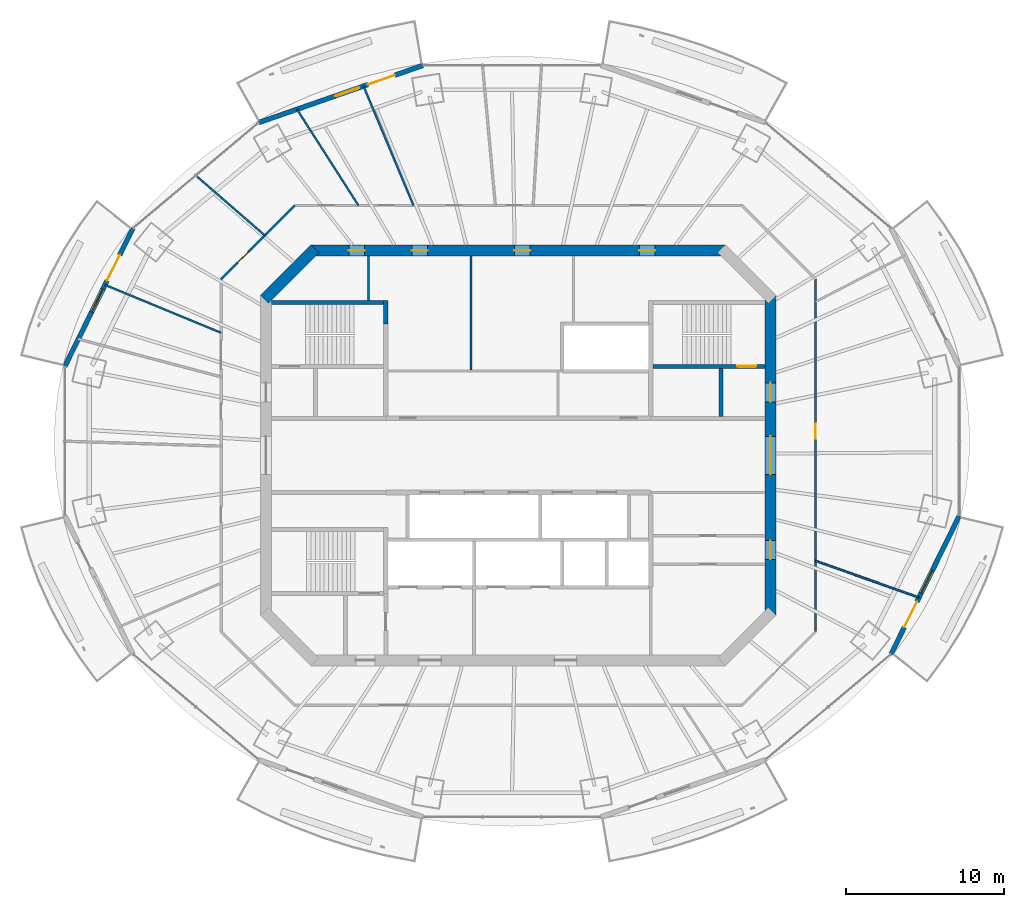
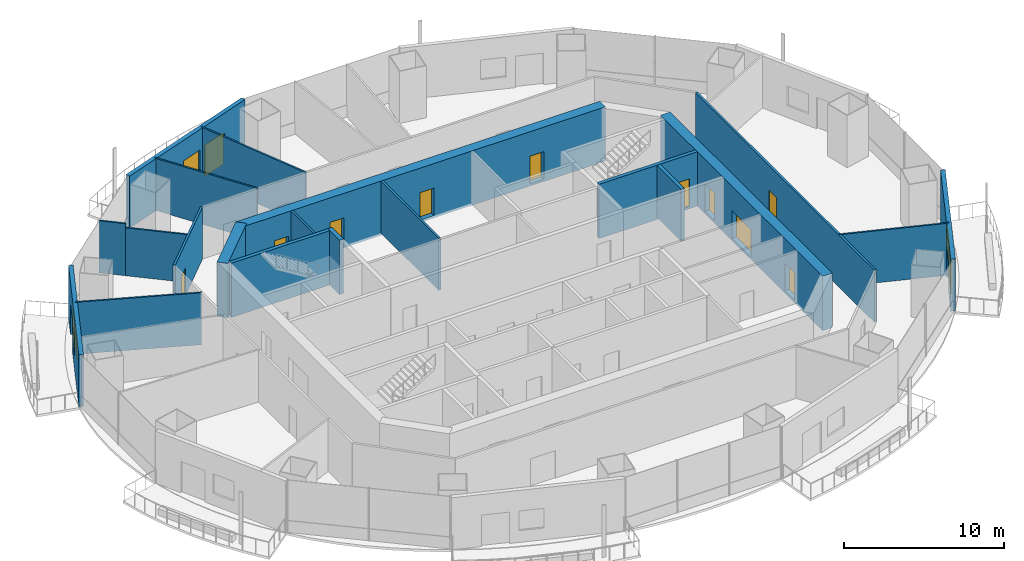
# One storey, part 10 of 16: 20 walls, 13 doors, 3 windows, 16 openings.
"""IFC4 building model written with IfcOpenShell, lengths in metres."""

from ifc_helpers import new_model, si_unit, direction, frame, frame_2d, origin, place, context, subcontext, project, spatial, rectangle, extrude, material, layer, layer_set, type_object, element, fill, save


model = new_model("IFC4")

# Units and contexts
model_context = context("Model", 3, precision=1e-05, world=origin(), true_north=direction((0.0, 1.0)))
body_context = subcontext(model_context, "Body", "Model", "MODEL_VIEW")
ifc_project = project(units=[si_unit("LENGTHUNIT", "METRE"), si_unit("AREAUNIT", "SQUARE_METRE"), si_unit("VOLUMEUNIT", "CUBIC_METRE"), si_unit("PLANEANGLEUNIT", "RADIAN"), si_unit("MASSUNIT", "GRAM", prefix="KILO")], contexts=[model_context])

# Site, building, storey
site_placement = place(None, origin())
site = spatial("IfcSite", under=ifc_project, at=site_placement, CompositionType="ELEMENT")
building_placement = place(site_placement, origin())
building = spatial("IfcBuilding", under=site, at=building_placement, Name="Marenthal Gate Tower", CompositionType="ELEMENT")
storey_placement = place(building_placement, frame((0.0, 0.0, 288.64990234375)))
storey = spatial("IfcBuildingStorey", under=building, at=storey_placement, Name="L64", CompositionType="ELEMENT", Elevation=288.64990234375)

# Wall, openings, doors
ifc_material_1 = material(Name="Concrete 60 MPa", Category="concrete")
ifc_layer_1 = layer(ifc_material_1, 0.699951171875)
ifc_layer_set_1 = layer_set([ifc_layer_1], Name="Core shear wall 700")
wall_type_1 = type_object("IfcWallType", Name="Core shear wall 700", PredefinedType="SHEAR", material=ifc_layer_set_1)
wall_1_placement = place(storey_placement, frame((16.0, -10.14501953125, -0.179931640625), z_axis=(0.0, 0.0, 1.0), x_axis=(0.0, 1.0, 0.0)))
wall_1 = element("IfcWall", 1, at=wall_1_placement, inside=storey, type_object=wall_type_1, Name="Core wall 02", PredefinedType="SHEAR", context=body_context, shape_type="SweptSolid", body=[
    extrude(rectangle(XDim=20.2900390625, YDim=0.699951171875, at=frame_2d((10.14501953125, 0.0))), origin(), (0.0, 0.0, 1.0), 4.150146484375),
])
opening_1_placement = place(wall_1_placement, frame((8.945068359375, 0.0, 0.179931640625)))
opening_1 = element("IfcOpeningElement", 2, at=opening_1_placement, cuts=wall_1, Name="Opening D003.02", PredefinedType="OPENING", context=body_context, shape_type="SweptSolid", body=[
    extrude(rectangle(XDim=2.39990234375, YDim=2.10009765625, at=frame_2d((1.199951171875, 1.050048828125))), frame((0.0, 0.35986328125, 0.0), z_axis=(0.0, -1.0, 0.0), x_axis=(1.0, 0.0, 0.0)), (0.0, 0.0, 1.0), 0.719970703125),
])
opening_2_placement = place(wall_1_placement, frame((13.544921875, 0.0, 0.179931640625)))
opening_2 = element("IfcOpeningElement", 3, at=opening_2_placement, cuts=wall_1, Name="Opening D001.05", PredefinedType="OPENING", context=body_context, shape_type="SweptSolid", body=[
    extrude(rectangle(XDim=1.199951171875, YDim=2.10009765625, at=frame_2d((0.60009765625, 1.050048828125))), frame((0.0, 0.35986328125, 0.0), z_axis=(0.0, -1.0, 0.0), x_axis=(1.0, 0.0, 0.0)), (0.0, 0.0, 1.0), 0.719970703125),
])
opening_3_placement = place(wall_1_placement, frame((3.544921875, 0.0, 0.179931640625)))
opening_3 = element("IfcOpeningElement", 4, at=opening_3_placement, cuts=wall_1, Name="Opening D006.01", PredefinedType="OPENING", context=body_context, shape_type="SweptSolid", body=[
    extrude(rectangle(XDim=1.199951171875, YDim=2.10009765625, at=frame_2d((0.60009765625, 1.050048828125))), frame((0.0, 0.35986328125, 0.0), z_axis=(0.0, -1.0, 0.0), x_axis=(1.0, 0.0, 0.0)), (0.0, 0.0, 1.0), 0.719970703125),
])
ifc_material_2 = material(Name="Steel fire door", Category="steel")
door_type_1 = type_object("IfcDoorType", Name="Double fire door FD 45 2400 x 2100", OperationType="DOUBLE_DOOR_SINGLE_SWING", PredefinedType="DOOR", material=ifc_material_2)
door_1_placement = place(opening_1_placement, origin())
door_1 = element("IfcDoor", 5, at=door_1_placement, inside=storey, type_object=door_type_1, Name="Door D003.02", OperationType="DOUBLE_DOOR_SINGLE_SWING", OverallHeight=2.10009765625, OverallWidth=2.39990234375, PredefinedType="DOOR", context=body_context, shape_type="SweptSolid", body=[
    extrude(rectangle(XDim=2.39990234375, YDim=2.10009765625, at=frame_2d((1.199951171875, 1.050048828125))), frame((0.0, 0.02490234375, 0.0), z_axis=(0.0, -1.0, 0.0), x_axis=(1.0, 0.0, 0.0)), (0.0, 0.0, 1.0), 0.050048828125),
])
fill(opening_1, door_1)
ifc_material_3 = material(Name="Steel fire door", Category="steel")
door_type_2 = type_object("IfcDoorType", Name="Fire door FD 45 1200 x 2100", OperationType="NOTDEFINED", PredefinedType="DOOR", material=ifc_material_3)
door_2_placement = place(opening_3_placement, origin())
door_2 = element("IfcDoor", 6, at=door_2_placement, inside=storey, type_object=door_type_2, Name="Door D006.01", OperationType="SINGLE_SWING_RIGHT", OverallHeight=2.10009765625, OverallWidth=1.199951171875, PredefinedType="DOOR", context=body_context, shape_type="SweptSolid", body=[
    extrude(rectangle(XDim=1.199951171875, YDim=2.10009765625, at=frame_2d((0.60009765625, 1.050048828125))), frame((0.0, 0.02490234375, 0.0), z_axis=(0.0, -1.0, 0.0), x_axis=(1.0, 0.0, 0.0)), (0.0, 0.0, 1.0), 0.050048828125),
])
fill(opening_3, door_2)
ifc_material_4 = material(Name="Steel fire door", Category="steel")
door_type_3 = type_object("IfcDoorType", Name="Fire door FD 90 1200 x 2100", OperationType="NOTDEFINED", PredefinedType="DOOR", material=ifc_material_4)
door_3_placement = place(opening_2_placement, origin())
door_3 = element("IfcDoor", 7, at=door_3_placement, inside=storey, type_object=door_type_3, Name="Door D001.05", OperationType="SINGLE_SWING_RIGHT", OverallHeight=2.10009765625, OverallWidth=1.199951171875, PredefinedType="DOOR", context=body_context, shape_type="SweptSolid", body=[
    extrude(rectangle(XDim=1.199951171875, YDim=2.10009765625, at=frame_2d((0.60009765625, 1.050048828125))), frame((0.0, 0.02490234375, 0.0), z_axis=(0.0, -1.0, 0.0), x_axis=(1.0, 0.0, 0.0)), (0.0, 0.0, 1.0), 0.050048828125),
])
fill(opening_2, door_3)

wall_2_placement = place(storey_placement, frame((13.14501953125, 13.0, -0.179931640625), z_axis=(0.0, 0.0, 1.0), x_axis=(-1.0, 0.0, 0.0)))
wall_2 = element("IfcWall", 8, at=wall_2_placement, inside=storey, type_object=wall_type_1, Name="Core wall 04", PredefinedType="SHEAR", context=body_context, shape_type="SweptSolid", body=[
    extrude(rectangle(XDim=26.2900390625, YDim=0.699951171875, at=frame_2d((13.14501953125, 0.0))), origin(), (0.0, 0.0, 1.0), 4.150146484375),
])
opening_4_placement = place(wall_2_placement, frame((22.889892578125, 0.0, 0.179931640625)))
opening_4 = element("IfcOpeningElement", 9, at=opening_4_placement, cuts=wall_2, Name="Opening D005.03", PredefinedType="OPENING", context=body_context, shape_type="SweptSolid", body=[
    extrude(rectangle(XDim=1.0, YDim=2.10009765625, at=frame_2d((0.5, 1.050048828125))), frame((0.0, 0.35986328125, 0.0), z_axis=(0.0, -1.0, 0.0), x_axis=(1.0, 0.0, 0.0)), (0.0, 0.0, 1.0), 0.719970703125),
])
opening_5_placement = place(wall_2_placement, frame((18.89501953125, 0.0, 0.179931640625)))
opening_5 = element("IfcOpeningElement", 10, at=opening_5_placement, cuts=wall_2, Name="Opening D005.04", PredefinedType="OPENING", context=body_context, shape_type="SweptSolid", body=[
    extrude(rectangle(XDim=1.0, YDim=2.10009765625, at=frame_2d((0.5, 1.050048828125))), frame((0.0, 0.35986328125, 0.0), z_axis=(0.0, -1.0, 0.0), x_axis=(1.0, 0.0, 0.0)), (0.0, 0.0, 1.0), 0.719970703125),
])
opening_6_placement = place(wall_2_placement, frame((12.39501953125, 0.0, 0.179931640625)))
opening_6 = element("IfcOpeningElement", 11, at=opening_6_placement, cuts=wall_2, Name="Opening D005.05", PredefinedType="OPENING", context=body_context, shape_type="SweptSolid", body=[
    extrude(rectangle(XDim=1.0, YDim=2.10009765625, at=frame_2d((0.5, 1.050048828125))), frame((0.0, 0.35986328125, 0.0), z_axis=(0.0, -1.0, 0.0), x_axis=(1.0, 0.0, 0.0)), (0.0, 0.0, 1.0), 0.719970703125),
])
opening_7_placement = place(wall_2_placement, frame((4.46728515625, 0.0, 0.179931640625)))
opening_7 = element("IfcOpeningElement", 12, at=opening_7_placement, cuts=wall_2, Name="Opening D005.06", PredefinedType="OPENING", context=body_context, shape_type="SweptSolid", body=[
    extrude(rectangle(XDim=1.0, YDim=2.10009765625, at=frame_2d((0.5, 1.050048828125))), frame((0.0, 0.35986328125, 0.0), z_axis=(0.0, -1.0, 0.0), x_axis=(1.0, 0.0, 0.0)), (0.0, 0.0, 1.0), 0.719970703125),
])
ifc_material_5 = material(Name="Steel fire door", Category="steel")
door_type_4 = type_object("IfcDoorType", Name="Fire door FD 45 1000 x 2100", OperationType="NOTDEFINED", PredefinedType="DOOR", material=ifc_material_5)
door_4_placement = place(opening_4_placement, origin())
door_4 = element("IfcDoor", 13, at=door_4_placement, inside=storey, type_object=door_type_4, Name="Door D005.03", OperationType="SINGLE_SWING_RIGHT", OverallHeight=2.10009765625, OverallWidth=1.0, PredefinedType="DOOR", context=body_context, shape_type="SweptSolid", body=[
    extrude(rectangle(XDim=1.0, YDim=2.10009765625, at=frame_2d((0.5, 1.050048828125))), frame((0.0, 0.02490234375, 0.0), z_axis=(0.0, -1.0, 0.0), x_axis=(1.0, 0.0, 0.0)), (0.0, 0.0, 1.0), 0.050048828125),
])
fill(opening_4, door_4)
door_5_placement = place(opening_5_placement, origin())
door_5 = element("IfcDoor", 14, at=door_5_placement, inside=storey, type_object=door_type_4, Name="Door D005.04", OperationType="SINGLE_SWING_RIGHT", OverallHeight=2.10009765625, OverallWidth=1.0, PredefinedType="DOOR", context=body_context, shape_type="SweptSolid", body=[
    extrude(rectangle(XDim=1.0, YDim=2.10009765625, at=frame_2d((0.5, 1.050048828125))), frame((0.0, 0.02490234375, 0.0), z_axis=(0.0, -1.0, 0.0), x_axis=(1.0, 0.0, 0.0)), (0.0, 0.0, 1.0), 0.050048828125),
])
fill(opening_5, door_5)
door_6_placement = place(opening_6_placement, origin())
door_6 = element("IfcDoor", 15, at=door_6_placement, inside=storey, type_object=door_type_4, Name="Door D005.05", OperationType="SINGLE_SWING_RIGHT", OverallHeight=2.10009765625, OverallWidth=1.0, PredefinedType="DOOR", context=body_context, shape_type="SweptSolid", body=[
    extrude(rectangle(XDim=1.0, YDim=2.10009765625, at=frame_2d((0.5, 1.050048828125))), frame((0.0, 0.02490234375, 0.0), z_axis=(0.0, -1.0, 0.0), x_axis=(1.0, 0.0, 0.0)), (0.0, 0.0, 1.0), 0.050048828125),
])
fill(opening_6, door_6)
door_7_placement = place(opening_7_placement, origin())
door_7 = element("IfcDoor", 16, at=door_7_placement, inside=storey, type_object=door_type_4, Name="Door D005.06", OperationType="SINGLE_SWING_RIGHT", OverallHeight=2.10009765625, OverallWidth=1.0, PredefinedType="DOOR", context=body_context, shape_type="SweptSolid", body=[
    extrude(rectangle(XDim=1.0, YDim=2.10009765625, at=frame_2d((0.5, 1.050048828125))), frame((0.0, 0.02490234375, 0.0), z_axis=(0.0, -1.0, 0.0), x_axis=(1.0, 0.0, 0.0)), (0.0, 0.0, 1.0), 0.050048828125),
])
fill(opening_7, door_7)

# Walls
wall_3_placement = place(storey_placement, frame((-12.8974609375, 13.1025390625, -0.179931640625), z_axis=(0.0, 0.0, 1.0), x_axis=(-0.707106781187, -0.707106781187, 0.0)))
element("IfcWall", 17, at=wall_3_placement, inside=storey, type_object=wall_type_1, Name="Core wall 05", PredefinedType="SHEAR", context=body_context, shape_type="SweptSolid", body=[
    extrude(rectangle(XDim=4.53271484375, YDim=0.699951171875, at=frame_2d((2.266357421875, 0.0))), origin(), (0.0, 0.0, 1.0), 4.150146484375),
])
ifc_material_6 = material(Name="Gypsum board on steel studs", Category="steel")
ifc_layer_2 = layer(ifc_material_6, 0.1201171875)
ifc_layer_set_2 = layer_set([ifc_layer_2], Name="Partition 120")
wall_type_2 = type_object("IfcWallType", Name="Partition 120", PredefinedType="PARTITIONING", material=ifc_layer_set_2)
wall_4_placement = place(storey_placement, frame((-18.85009765625, 7.776611328125, 0.0), z_axis=(0.0, 0.0, 1.0), x_axis=(-0.924418879756, 0.381378728759, 0.0)))
element("IfcWall", 18, at=wall_4_placement, inside=storey, type_object=wall_type_2, Name="Partition wall 56", PredefinedType="PARTITIONING", context=body_context, shape_type="SweptSolid", body=[
    extrude(rectangle(XDim=7.96484375, YDim=0.1201171875, at=frame_2d((3.982421875, 0.0))), origin(), (0.0, 0.0, 1.0), 3.97021484375),
])
wall_5_placement = place(storey_placement, frame((-16.076416015625, 13.9541015625, 0.0), z_axis=(0.0, 0.0, 1.0), x_axis=(-0.755226494758, 0.655463913283, 0.0)))
element("IfcWall", 19, at=wall_5_placement, inside=storey, type_object=wall_type_2, Name="Partition wall 58", PredefinedType="PARTITIONING", context=body_context, shape_type="SweptSolid", body=[
    extrude(rectangle(XDim=4.111328125, YDim=0.1201171875, at=frame_2d((2.0556640625, 0.0))), origin(), (0.0, 0.0, 1.0), 3.66015625),
])
wall_6_placement = place(storey_placement, frame((-19.181396484375, 16.64892578125, 0.0), z_axis=(0.0, 0.0, 1.0), x_axis=(-0.755144367742, 0.655558528178, 0.0)))
element("IfcWall", 20, at=wall_6_placement, inside=storey, type_object=wall_type_2, Name="Partition wall 72", PredefinedType="PARTITIONING", context=body_context, shape_type="SweptSolid", body=[
    extrude(rectangle(XDim=1.686767578125, YDim=0.1201171875, at=frame_2d((0.84326171875, 0.0))), origin(), (0.0, 0.0, 1.0), 3.97021484375),
])
wall_7_placement = place(storey_placement, frame((-10.13720703125, 15.85009765625, 0.0), z_axis=(0.0, 0.0, 1.0), x_axis=(-0.538802115327, 0.84243235961, 0.0)))
element("IfcWall", 21, at=wall_7_placement, inside=storey, type_object=wall_type_2, Name="Partition wall 61", PredefinedType="PARTITIONING", context=body_context, shape_type="SweptSolid", body=[
    extrude(rectangle(XDim=7.2431640625, YDim=0.1201171875, at=frame_2d((3.62158203125, 0.0))), origin(), (0.0, 0.0, 1.0), 3.97021484375),
])
wall_8_placement = place(storey_placement, frame((-6.64501953125, 15.85009765625, 0.0), z_axis=(0.0, 0.0, 1.0), x_axis=(-0.386671197164, 0.92221764529, 0.0)))
element("IfcWall", 22, at=wall_8_placement, inside=storey, type_object=wall_type_2, Name="Partition wall 62", PredefinedType="PARTITIONING", context=body_context, shape_type="SweptSolid", body=[
    extrude(rectangle(XDim=8.209228515625, YDim=0.1201171875, at=frame_2d((4.1044921875, 0.0))), origin(), (0.0, 0.0, 1.0), 3.97021484375),
])
wall_9_placement = place(storey_placement, frame((18.85009765625, -6.686279296875, 0.0), z_axis=(0.0, 0.0, 1.0), x_axis=(0.942465522023, -0.334303364923, 0.0)))
element("IfcWall", 23, at=wall_9_placement, inside=storey, type_object=wall_type_2, Name="Partition wall 69", PredefinedType="PARTITIONING", context=body_context, shape_type="SweptSolid", body=[
    extrude(rectangle(XDim=6.96337890625, YDim=0.1201171875, at=frame_2d((3.481689453125, 0.0))), origin(), (0.0, 0.0, 1.0), 3.97021484375),
])
ifc_material_7 = material(Name="Gypsum board on steel studs", Category="steel")
ifc_layer_3 = layer(ifc_material_7, 0.14990234375)
ifc_layer_set_3 = layer_set([ifc_layer_3], Name="Partition 150")
wall_type_3 = type_object("IfcWallType", Name="Partition 150", PredefinedType="PARTITIONING", material=ifc_layer_set_3)
wall_10_placement = place(storey_placement, frame((-9.5, 9.824951171875, 0.0), z_axis=(0.0, 0.0, 1.0), x_axis=(0.0, 1.0, 0.0)))
element("IfcWall", 24, at=wall_10_placement, inside=storey, type_object=wall_type_3, Name="Partition wall 31", PredefinedType="PARTITIONING", context=body_context, shape_type="SweptSolid", body=[
    extrude(rectangle(XDim=2.824951171875, YDim=0.14990234375, at=frame_2d((1.41259765625, 0.0))), origin(), (0.0, 0.0, 1.0), 3.97021484375),
])
wall_11_placement = place(storey_placement, frame((-3.0, 5.425048828125, 0.0), z_axis=(0.0, 0.0, 1.0), x_axis=(0.0, 1.0, 0.0)))
element("IfcWall", 25, at=wall_11_placement, inside=storey, type_object=wall_type_3, Name="Partition wall 37", PredefinedType="PARTITIONING", context=body_context, shape_type="SweptSolid", body=[
    extrude(rectangle(XDim=7.224853515625, YDim=0.14990234375, at=frame_2d((3.6123046875, 0.0))), origin(), (0.0, 0.0, 1.0), 3.97021484375),
])

# Wall, opening, door
wall_12_placement = place(storey_placement, frame((-18.85009765625, 11.180419921875, 0.0), z_axis=(0.0, 0.0, 1.0), x_axis=(0.707106781187, 0.707106781187, 0.0)))
wall_12 = element("IfcWall", 26, at=wall_12_placement, inside=storey, type_object=wall_type_3, Name="Partition wall 57", PredefinedType="PARTITIONING", context=body_context, shape_type="SweptSolid", body=[
    extrude(rectangle(XDim=6.60400390625, YDim=0.14990234375, at=frame_2d((3.302001953125, 0.0))), origin(), (0.0, 0.0, 1.0), 3.97021484375),
])
opening_8_placement = place(wall_12_placement, frame((1.486083984375, 0.0, 0.0)))
opening_8 = element("IfcOpeningElement", 27, at=opening_8_placement, cuts=wall_12, Name="Opening D016.06", PredefinedType="OPENING", context=body_context, shape_type="SweptSolid", body=[
    extrude(rectangle(XDim=0.949951171875, YDim=2.10009765625, at=frame_2d((0.47509765625, 1.050048828125))), frame((0.0, 0.0849609375, 0.0), z_axis=(0.0, -1.0, 0.0), x_axis=(1.0, 0.0, 0.0)), (0.0, 0.0, 1.0), 0.169921875),
])
ifc_material_8 = material(Name="Timber door", Category="wood")
door_type_5 = type_object("IfcDoorType", Name="Door 950 x 2100", OperationType="NOTDEFINED", PredefinedType="DOOR", material=ifc_material_8)
door_8_placement = place(opening_8_placement, origin())
door_8 = element("IfcDoor", 28, at=door_8_placement, inside=storey, type_object=door_type_5, Name="Door D016.06", OperationType="SINGLE_SWING_RIGHT", OverallHeight=2.10009765625, OverallWidth=0.949951171875, PredefinedType="DOOR", context=body_context, shape_type="SweptSolid", body=[
    extrude(rectangle(XDim=0.949951171875, YDim=2.10009765625, at=frame_2d((0.47509765625, 1.050048828125))), frame((0.0, 0.02490234375, 0.0), z_axis=(0.0, -1.0, 0.0), x_axis=(1.0, 0.0, 0.0)), (0.0, 0.0, 1.0), 0.050048828125),
])
fill(opening_8, door_8)

wall_13_placement = place(storey_placement, frame((18.85009765625, 11.180419921875, 0.0), z_axis=(0.0, 0.0, 1.0), x_axis=(0.0, -1.0, 0.0)))
wall_13 = element("IfcWall", 29, at=wall_13_placement, inside=storey, type_object=wall_type_3, Name="Partition wall 71", PredefinedType="PARTITIONING", context=body_context, shape_type="SweptSolid", body=[
    extrude(rectangle(XDim=22.36083984375, YDim=0.14990234375, at=frame_2d((11.180419921875, 0.0))), origin(), (0.0, 0.0, 1.0), 3.97021484375),
])
opening_9_placement = place(wall_13_placement, frame((9.175048828125, 0.0, 0.0)))
opening_9 = element("IfcOpeningElement", 30, at=opening_9_placement, cuts=wall_13, Name="Opening D016.10", PredefinedType="OPENING", context=body_context, shape_type="SweptSolid", body=[
    extrude(rectangle(XDim=0.949951171875, YDim=2.10009765625, at=frame_2d((0.47509765625, 1.050048828125))), frame((0.0, 0.0849609375, 0.0), z_axis=(0.0, -1.0, 0.0), x_axis=(1.0, 0.0, 0.0)), (0.0, 0.0, 1.0), 0.169921875),
])
door_9_placement = place(opening_9_placement, origin())
door_9 = element("IfcDoor", 31, at=door_9_placement, inside=storey, type_object=door_type_5, Name="Door D016.10", OperationType="SINGLE_SWING_RIGHT", OverallHeight=2.10009765625, OverallWidth=0.949951171875, PredefinedType="DOOR", context=body_context, shape_type="SweptSolid", body=[
    extrude(rectangle(XDim=0.949951171875, YDim=2.10009765625, at=frame_2d((0.47509765625, 1.050048828125))), frame((0.0, 0.02490234375, 0.0), z_axis=(0.0, -1.0, 0.0), x_axis=(1.0, 0.0, 0.0)), (0.0, 0.0, 1.0), 0.050048828125),
])
fill(opening_9, door_9)

# Wall
ifc_material_9 = material(Name="Concrete 40 MPa", Category="concrete")
ifc_layer_4 = layer(ifc_material_9, 0.25)
ifc_layer_set_4 = layer_set([ifc_layer_4], Name="Stair enclosure wall 250")
wall_type_4 = type_object("IfcWallType", Name="Stair enclosure wall 250", PredefinedType="STANDARD", material=ifc_layer_set_4)
wall_14_placement = place(storey_placement, frame((12.85009765625, 2.47509765625, 0.0), z_axis=(0.0, 0.0, 1.0), x_axis=(0.0, 1.0, 0.0)))
element("IfcWall", 32, at=wall_14_placement, inside=storey, type_object=wall_type_4, Name="Stair wall 51", PredefinedType="STANDARD", context=body_context, shape_type="SweptSolid", body=[
    extrude(rectangle(XDim=3.0498046875, YDim=0.25, at=frame_2d((1.52490234375, 0.0))), origin(), (0.0, 0.0, 1.0), 3.97021484375),
])

# Wall, opening, door
ifc_material_10 = material(Name="Concrete 50 MPa", Category="concrete")
ifc_layer_5 = layer(ifc_material_10, 0.25)
ifc_layer_set_5 = layer_set([ifc_layer_5], Name="Stair shear wall 250")
wall_type_5 = type_object("IfcWallType", Name="Stair shear wall 250", PredefinedType="SHEAR", material=ifc_layer_set_5)
wall_15_placement = place(storey_placement, frame((8.550048828125, 5.64990234375, -0.179931640625), z_axis=(0.0, 0.0, 1.0), x_axis=(1.0, 0.0, 0.0)))
wall_15 = element("IfcWall", 33, at=wall_15_placement, inside=storey, type_object=wall_type_5, Name="Stair wall 25", PredefinedType="SHEAR", context=body_context, shape_type="SweptSolid", body=[
    extrude(rectangle(XDim=7.099853515625, YDim=0.25, at=frame_2d((3.5498046875, 0.0))), origin(), (0.0, 0.0, 1.0), 4.150146484375),
])
opening_10_placement = place(wall_15_placement, frame((5.35009765625, 0.0, 0.179931640625)))
opening_10 = element("IfcOpeningElement", 34, at=opening_10_placement, cuts=wall_15, Name="Opening D001.02", PredefinedType="OPENING", context=body_context, shape_type="SweptSolid", body=[
    extrude(rectangle(XDim=1.199951171875, YDim=2.10009765625, at=frame_2d((0.60009765625, 1.050048828125))), frame((0.0, 0.135009765625, 0.0), z_axis=(0.0, -1.0, 0.0), x_axis=(1.0, 0.0, 0.0)), (0.0, 0.0, 1.0), 0.27001953125),
])
door_10_placement = place(opening_10_placement, origin())
door_10 = element("IfcDoor", 35, at=door_10_placement, inside=storey, type_object=door_type_3, Name="Door D001.02", OperationType="SINGLE_SWING_RIGHT", OverallHeight=2.10009765625, OverallWidth=1.199951171875, PredefinedType="DOOR", context=body_context, shape_type="SweptSolid", body=[
    extrude(rectangle(XDim=1.199951171875, YDim=2.10009765625, at=frame_2d((0.60009765625, 1.050048828125))), frame((0.0, 0.02490234375, 0.0), z_axis=(0.0, -1.0, 0.0), x_axis=(1.0, 0.0, 0.0)), (0.0, 0.0, 1.0), 0.050048828125),
])
fill(opening_10, door_10)

# Walls
wall_16_placement = place(storey_placement, frame((-15.64990234375, 9.699951171875, -0.179931640625), z_axis=(0.0, 0.0, 1.0), x_axis=(1.0, 0.0, 0.0)))
element("IfcWall", 36, at=wall_16_placement, inside=storey, type_object=wall_type_5, Name="Stair wall 27", PredefinedType="SHEAR", context=body_context, shape_type="SweptSolid", body=[
    extrude(rectangle(XDim=7.099853515625, YDim=0.25, at=frame_2d((3.5498046875, 0.0))), origin(), (0.0, 0.0, 1.0), 4.150146484375),
])
ifc_material_11 = material(Name="Concrete 50 MPa", Category="concrete")
ifc_layer_6 = layer(ifc_material_11, 0.300048828125)
ifc_layer_set_6 = layer_set([ifc_layer_6], Name="Stair shear wall 300")
wall_type_6 = type_object("IfcWallType", Name="Stair shear wall 300", PredefinedType="SHEAR", material=ifc_layer_set_6)
wall_17_placement = place(storey_placement, frame((-8.39990234375, 8.35009765625, -0.179931640625), z_axis=(0.0, 0.0, 1.0), x_axis=(0.0, 1.0, 0.0)))
element("IfcWall", 37, at=wall_17_placement, inside=storey, type_object=wall_type_6, Name="Stair wall 35", PredefinedType="SHEAR", context=body_context, shape_type="SweptSolid", body=[
    extrude(rectangle(XDim=1.474853515625, YDim=0.300048828125, at=frame_2d((0.7373046875, 0.0))), origin(), (0.0, 0.0, 1.0), 4.150146484375),
])

# Wall, openings, door, window
ifc_material_12 = material(Name="Terracotta cladding on insulated concrete-block backing", Category="masonry")
ifc_layer_7 = layer(ifc_material_12, 0.300048828125)
ifc_layer_set_7 = layer_set([ifc_layer_7], Name="Terracotta facade wall 300")
wall_type_7 = type_object("IfcWallType", Name="Terracotta facade wall 300", PredefinedType="SOLIDWALL", material=ifc_layer_set_7)
wall_18_placement = place(storey_placement, frame((-6.04150390625, 24.736083984375, 0.0), z_axis=(0.0, 0.0, 1.0), x_axis=(-0.944413217851, -0.328760815713, 0.0)))
wall_18 = element("IfcWall", 38, at=wall_18_placement, inside=storey, type_object=wall_type_7, Name="Terracotta facade wall L64 bay 5", PredefinedType="SOLIDWALL", context=body_context, shape_type="SweptSolid", body=[
    extrude(rectangle(XDim=11.0380859375, YDim=0.300048828125, at=frame_2d((5.51904296875, 0.0))), origin(), (0.0, 0.0, 1.0), 3.97021484375),
])
opening_11_placement = place(wall_18_placement, frame((1.89990234375, 0.0, 0.0)))
opening_11 = element("IfcOpeningElement", 39, at=opening_11_placement, cuts=wall_18, Name="Opening BD-L64-05", PredefinedType="OPENING", context=body_context, shape_type="SweptSolid", body=[
    extrude(rectangle(XDim=1.800048828125, YDim=2.39990234375, at=frame_2d((0.89990234375, 1.199951171875))), frame((0.0, 0.16015625, 0.0), z_axis=(0.0, -1.0, 0.0), x_axis=(1.0, 0.0, 0.0)), (0.0, 0.0, 1.0), 0.320068359375),
])
opening_12_placement = place(wall_18_placement, frame((4.300048828125, 0.0, 0.89990234375)))
opening_12 = element("IfcOpeningElement", 40, at=opening_12_placement, cuts=wall_18, Name="Opening WN3-L64-05", PredefinedType="OPENING", context=body_context, shape_type="SweptSolid", body=[
    extrude(rectangle(XDim=1.60009765625, YDim=1.5, at=frame_2d((0.800048828125, 0.75))), frame((0.0, 0.16015625, 0.0), z_axis=(0.0, -1.0, 0.0), x_axis=(1.0, 0.0, 0.0)), (0.0, 0.0, 1.0), 0.320068359375),
])
ifc_material_13 = material(Name="Aluminium and glass", Category="aluminium")
door_type_6 = type_object("IfcDoorType", Name="Balcony door 1800x2400", OperationType="DOUBLE_DOOR_SINGLE_SWING", PredefinedType="DOOR", material=ifc_material_13)
door_11_placement = place(opening_11_placement, origin())
door_11 = element("IfcDoor", 41, at=door_11_placement, inside=storey, type_object=door_type_6, Name="Balcony door L64 bay 5", OperationType="SINGLE_SWING_LEFT", OverallHeight=2.39990234375, OverallWidth=1.800048828125, PredefinedType="DOOR", context=body_context, shape_type="SweptSolid", body=[
    extrude(rectangle(XDim=1.800048828125, YDim=2.39990234375, at=frame_2d((0.89990234375, 1.199951171875))), frame((0.0, 0.02490234375, 0.0), z_axis=(0.0, -1.0, 0.0), x_axis=(1.0, 0.0, 0.0)), (0.0, 0.0, 1.0), 0.050048828125),
])
fill(opening_11, door_11)
ifc_material_14 = material(Name="Aluminium and glass", Category="aluminium")
window_type = type_object("IfcWindowType", Name="Window 1600x1500", PartitioningType="DOUBLE_PANEL_VERTICAL", PredefinedType="WINDOW", material=ifc_material_14)
window_1_placement = place(opening_12_placement, origin())
window_1 = element("IfcWindow", 42, at=window_1_placement, inside=storey, type_object=window_type, Name="Window L64 bay 5", OverallHeight=1.5, OverallWidth=1.60009765625, PartitioningType="SINGLE_PANEL", PredefinedType="WINDOW", context=body_context, shape_type="SweptSolid", body=[
    extrude(rectangle(XDim=1.60009765625, YDim=1.5, at=frame_2d((0.800048828125, 0.75))), frame((0.0, 0.030029296875, 0.0), z_axis=(0.0, -1.0, 0.0), x_axis=(1.0, 0.0, 0.0)), (0.0, 0.0, 1.0), 0.06005859375),
])
fill(opening_12, window_1)

wall_19_placement = place(storey_placement, frame((-24.4443359375, 14.402099609375, 0.0), z_axis=(0.0, 0.0, 1.0), x_axis=(-0.442086999908, -0.896972175997, 0.0)))
wall_19 = element("IfcWall", 43, at=wall_19_placement, inside=storey, type_object=wall_type_7, Name="Terracotta facade wall L64 bay 7", PredefinedType="SOLIDWALL", context=body_context, shape_type="SweptSolid", body=[
    extrude(rectangle(XDim=9.76708984375, YDim=0.300048828125, at=frame_2d((4.883544921875, 0.0))), origin(), (0.0, 0.0, 1.0), 3.97021484375),
])
opening_13_placement = place(wall_19_placement, frame((1.89990234375, 0.0, 0.0)))
opening_13 = element("IfcOpeningElement", 44, at=opening_13_placement, cuts=wall_19, Name="Opening BD-L64-07", PredefinedType="OPENING", context=body_context, shape_type="SweptSolid", body=[
    extrude(rectangle(XDim=1.800048828125, YDim=2.39990234375, at=frame_2d((0.89990234375, 1.199951171875))), frame((0.0, 0.16015625, 0.0), z_axis=(0.0, -1.0, 0.0), x_axis=(1.0, 0.0, 0.0)), (0.0, 0.0, 1.0), 0.320068359375),
])
opening_14_placement = place(wall_19_placement, frame((4.300048828125, 0.0, 0.89990234375)))
opening_14 = element("IfcOpeningElement", 45, at=opening_14_placement, cuts=wall_19, Name="Opening WN3-L64-07", PredefinedType="OPENING", context=body_context, shape_type="SweptSolid", body=[
    extrude(rectangle(XDim=1.60009765625, YDim=1.5, at=frame_2d((0.800048828125, 0.75))), frame((0.0, 0.16015625, 0.0), z_axis=(0.0, -1.0, 0.0), x_axis=(1.0, 0.0, 0.0)), (0.0, 0.0, 1.0), 0.320068359375),
])
door_12_placement = place(opening_13_placement, origin())
door_12 = element("IfcDoor", 46, at=door_12_placement, inside=storey, type_object=door_type_6, Name="Balcony door L64 bay 7", OperationType="SINGLE_SWING_LEFT", OverallHeight=2.39990234375, OverallWidth=1.800048828125, PredefinedType="DOOR", context=body_context, shape_type="SweptSolid", body=[
    extrude(rectangle(XDim=1.800048828125, YDim=2.39990234375, at=frame_2d((0.89990234375, 1.199951171875))), frame((0.0, 0.02490234375, 0.0), z_axis=(0.0, -1.0, 0.0), x_axis=(1.0, 0.0, 0.0)), (0.0, 0.0, 1.0), 0.050048828125),
])
fill(opening_13, door_12)
window_2_placement = place(opening_14_placement, origin())
window_2 = element("IfcWindow", 47, at=window_2_placement, inside=storey, type_object=window_type, Name="Window L64 bay 7", OverallHeight=1.5, OverallWidth=1.60009765625, PartitioningType="SINGLE_PANEL", PredefinedType="WINDOW", context=body_context, shape_type="SweptSolid", body=[
    extrude(rectangle(XDim=1.60009765625, YDim=1.5, at=frame_2d((0.800048828125, 0.75))), frame((0.0, 0.030029296875, 0.0), z_axis=(0.0, -1.0, 0.0), x_axis=(1.0, 0.0, 0.0)), (0.0, 0.0, 1.0), 0.06005859375),
])
fill(opening_14, window_2)

wall_20_placement = place(storey_placement, frame((23.644287109375, -12.60205078125, 0.0), z_axis=(0.0, 0.0, 1.0), x_axis=(0.442107110685, 0.8969622638, 0.0)))
wall_20 = element("IfcWall", 48, at=wall_20_placement, inside=storey, type_object=wall_type_7, Name="Terracotta facade wall L64 bay 15", PredefinedType="SOLIDWALL", context=body_context, shape_type="SweptSolid", body=[
    extrude(rectangle(XDim=9.76708984375, YDim=0.300048828125, at=frame_2d((4.883544921875, 0.0))), origin(), (0.0, 0.0, 1.0), 3.97021484375),
])
opening_15_placement = place(wall_20_placement, frame((1.89990234375, 0.0, 0.0)))
opening_15 = element("IfcOpeningElement", 49, at=opening_15_placement, cuts=wall_20, Name="Opening BD-L64-15", PredefinedType="OPENING", context=body_context, shape_type="SweptSolid", body=[
    extrude(rectangle(XDim=1.800048828125, YDim=2.39990234375, at=frame_2d((0.89990234375, 1.199951171875))), frame((0.0, 0.16015625, 0.0), z_axis=(0.0, -1.0, 0.0), x_axis=(1.0, 0.0, 0.0)), (0.0, 0.0, 1.0), 0.320068359375),
])
opening_16_placement = place(wall_20_placement, frame((4.300048828125, 0.0, 0.89990234375)))
opening_16 = element("IfcOpeningElement", 50, at=opening_16_placement, cuts=wall_20, Name="Opening WN3-L64-15", PredefinedType="OPENING", context=body_context, shape_type="SweptSolid", body=[
    extrude(rectangle(XDim=1.60009765625, YDim=1.5, at=frame_2d((0.800048828125, 0.75))), frame((0.0, 0.16015625, 0.0), z_axis=(0.0, -1.0, 0.0), x_axis=(1.0, 0.0, 0.0)), (0.0, 0.0, 1.0), 0.320068359375),
])
door_13_placement = place(opening_15_placement, origin())
door_13 = element("IfcDoor", 51, at=door_13_placement, inside=storey, type_object=door_type_6, Name="Balcony door L64 bay 15", OperationType="SINGLE_SWING_LEFT", OverallHeight=2.39990234375, OverallWidth=1.800048828125, PredefinedType="DOOR", context=body_context, shape_type="SweptSolid", body=[
    extrude(rectangle(XDim=1.800048828125, YDim=2.39990234375, at=frame_2d((0.89990234375, 1.199951171875))), frame((0.0, 0.02490234375, 0.0), z_axis=(0.0, -1.0, 0.0), x_axis=(1.0, 0.0, 0.0)), (0.0, 0.0, 1.0), 0.050048828125),
])
fill(opening_15, door_13)
window_3_placement = place(opening_16_placement, origin())
window_3 = element("IfcWindow", 52, at=window_3_placement, inside=storey, type_object=window_type, Name="Window L64 bay 15", OverallHeight=1.5, OverallWidth=1.60009765625, PartitioningType="SINGLE_PANEL", PredefinedType="WINDOW", context=body_context, shape_type="SweptSolid", body=[
    extrude(rectangle(XDim=1.60009765625, YDim=1.5, at=frame_2d((0.800048828125, 0.75))), frame((0.0, 0.030029296875, 0.0), z_axis=(0.0, -1.0, 0.0), x_axis=(1.0, 0.0, 0.0)), (0.0, 0.0, 1.0), 0.06005859375),
])
fill(opening_16, window_3)

save(model, "model.ifc")
